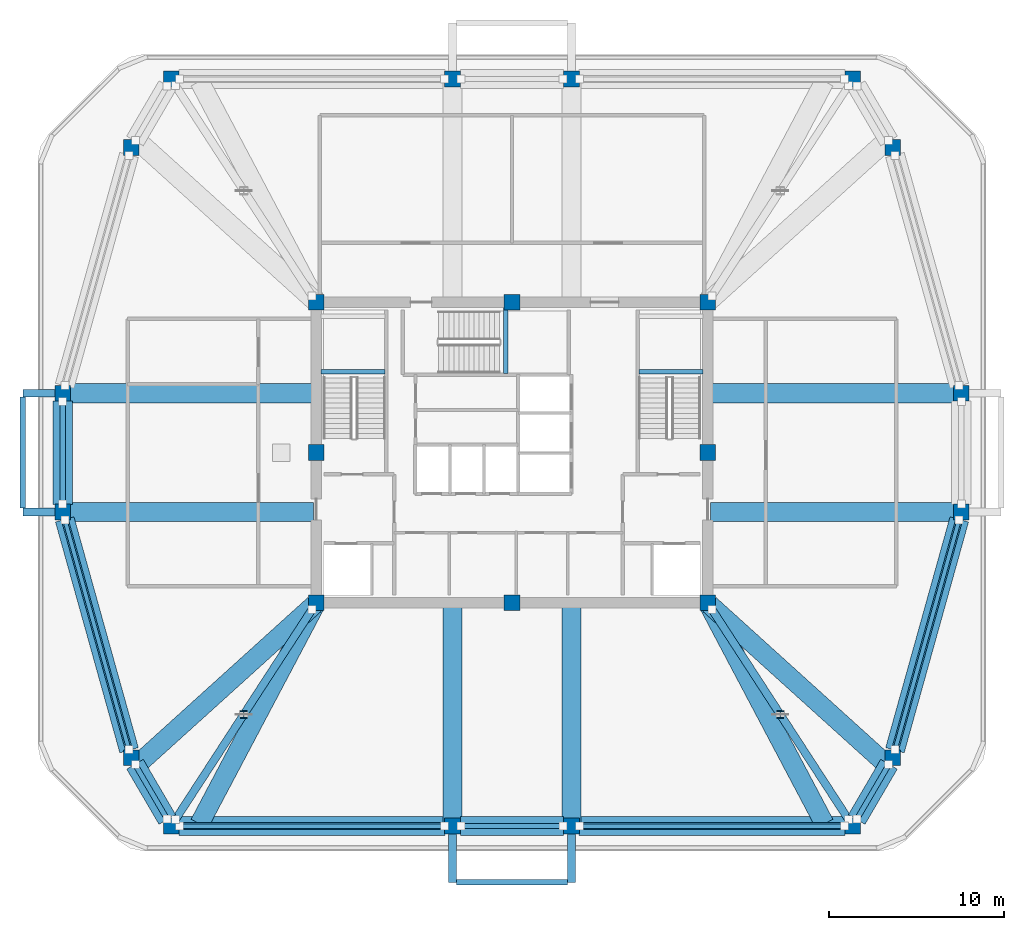
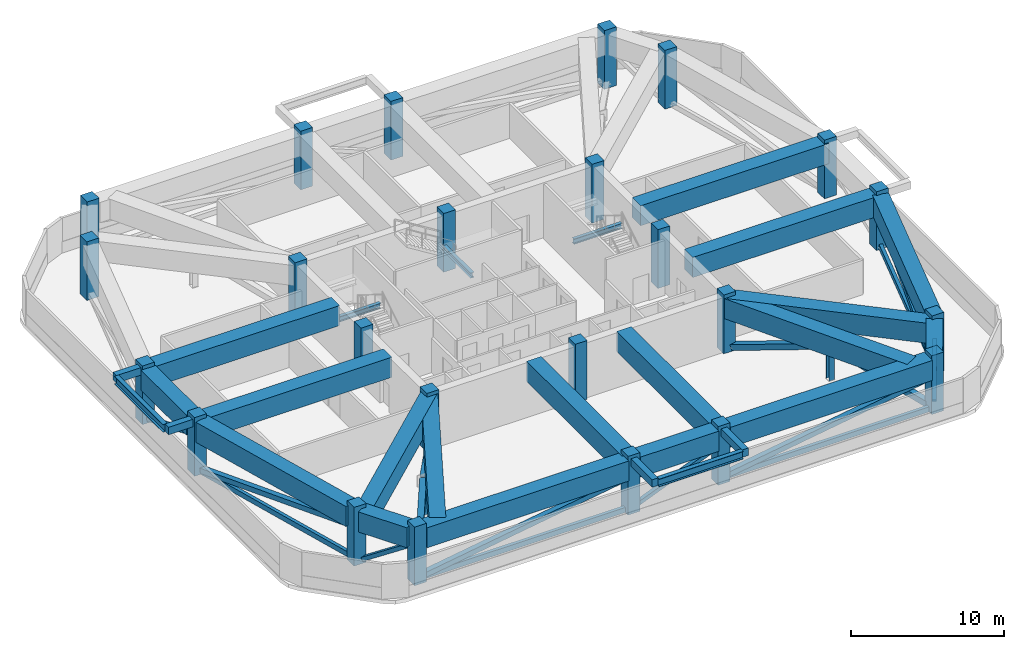
# One storey, part 1 of 9: 27 beams, 24 columns, 18 members.
"""IFC4 building model written with IfcOpenShell, lengths in metres."""

from ifc_helpers import new_model, si_unit, derived_unit, direction, frame, origin, origin_2d, place, context, subcontext, project, spatial, rectangle, hollow_rectangle, i_section, extrude, material, material_profile, profile_set, type_object, element, save


model = new_model("IFC4")

# Units and contexts
model_context = context("Model", 3, precision=1e-05, world=origin(), true_north=direction((0.0, 1.0)))
body_context = subcontext(model_context, "Body", "Model", "MODEL_VIEW")
ifc_project = project(units=[si_unit("LENGTHUNIT", "METRE"), si_unit("AREAUNIT", "SQUARE_METRE"), si_unit("VOLUMEUNIT", "CUBIC_METRE"), si_unit("PLANEANGLEUNIT", "RADIAN"), si_unit("MASSUNIT", "GRAM", prefix="KILO"), derived_unit("THERMALTRANSMITTANCEUNIT", [(si_unit("POWERUNIT", "WATT"), 1), (si_unit("LENGTHUNIT", "METRE"), -2), (si_unit("THERMODYNAMICTEMPERATUREUNIT", "KELVIN"), -1)])], contexts=[model_context])

# Site, building, storey
site_placement = place(None, origin())
site = spatial("IfcSite", under=ifc_project, at=site_placement, CompositionType="ELEMENT")
building_placement = place(site_placement, origin())
building = spatial("IfcBuilding", under=site, at=building_placement, Name="Koralith Skygarden Medical Center", CompositionType="ELEMENT")
storey_placement = place(building_placement, frame((0.0, 0.0, 232.3798828125)))
storey = spatial("IfcBuildingStorey", under=building, at=storey_placement, Name="L60", CompositionType="ELEMENT", Elevation=232.3798828125)

# Columns
ifc_material_1 = material(Name="Concrete C55/67", Category="concrete")
ifc_material_profile_1 = material_profile(ifc_material_1, rectangle(XDim=0.89990234375, YDim=0.89990234375, at=origin_2d()), Name="RC900X900")
ifc_profile_set_1 = profile_set([ifc_material_profile_1], Name="Concrete C55/67")
column_type_1 = type_object("IfcColumnType", Name="Core Column C55 RC900", PredefinedType="COLUMN", material=ifc_profile_set_1)
for number, where, z_axis, x_axis, name in (
    (1, (25.800048828125, 17.300048828125, 0.0), (0.0, 0.0, 1.0), (1.0, 0.0, 0.0), "L60 Core Column CC-01"),
    (2, (37.0, 17.300048828125, 0.0), (0.0, 0.0, 1.0), (1.0, 0.0, 0.0), "L60 Core Column CC-02"),
    (3, (48.199951171875, 17.300048828125, 0.0), (0.0, 0.0, 1.0), (1.0, 0.0, 0.0), "L60 Core Column CC-03"),
    (4, (48.199951171875, 25.89990234375, 0.0), (0.0, 0.0, 1.0), (1.0, 0.0, 0.0), "L60 Core Column CC-04"),
    (5, (48.199951171875, 34.5, 0.0), (0.0, 0.0, 1.0), (1.0, 0.0, 0.0), "L60 Core Column CC-05"),
    (6, (37.0, 34.5, 0.0), (0.0, 0.0, 1.0), (1.0, 0.0, 0.0), "L60 Core Column CC-06"),
    (7, (25.800048828125, 34.5, 0.0), (0.0, 0.0, 1.0), (1.0, 0.0, 0.0), "L60 Core Column CC-07"),
    (8, (25.800048828125, 25.89990234375, 0.0), (0.0, 0.0, 1.0), (1.0, 0.0, 0.0), "L60 Core Column CC-08"),
):
    element("IfcColumn", number, at=place(storey_placement, frame(where, z_axis=z_axis, x_axis=x_axis)), inside=storey, type_object=column_type_1, Name=name, PredefinedType="COLUMN", context=body_context, shape_type="SweptSolid", body=[
        extrude(rectangle(XDim=0.89990234375, YDim=0.89990234375, at=origin_2d()), origin(), (0.0, 0.0, 1.0), 4.68017578125),
    ])
ifc_material_profile_2 = material_profile(ifc_material_1, rectangle(XDim=0.89990234375, YDim=0.89990234375, at=origin_2d()), Name="RC900X900")
ifc_profile_set_2 = profile_set([ifc_material_profile_2], Name="Concrete C55/67")
column_type_2 = type_object("IfcColumnType", Name="Zone 4 Flare Mega-Column C55 RC900", PredefinedType="COLUMN", material=ifc_profile_set_2)
for number, where, z_axis, x_axis, name in (
    (9, (11.278076171875, 22.5, 0.0), (0.0, 0.0, 1.0), (1.0, 0.0, 0.0), "L60 Perimeter Mega-Column MC-01"),
    (10, (15.197998046875, 8.43994140625, 0.0), (0.0, 0.0, 1.0), (1.0, 0.0, 0.0), "L60 Perimeter Mega-Column MC-02"),
    (11, (17.489990234375, 4.52001953125, 0.0), (0.0, 0.0, 1.0), (1.0, 0.0, 0.0), "L60 Perimeter Mega-Column MC-03"),
    (12, (33.60009765625, 4.52001953125, 0.0), (0.0, 0.0, 1.0), (1.0, 0.0, 0.0), "L60 Perimeter Mega-Column MC-04"),
    (13, (40.39990234375, 4.52001953125, 0.0), (0.0, 0.0, 1.0), (1.0, 0.0, 0.0), "L60 Perimeter Mega-Column MC-05"),
    (14, (56.510009765625, 4.52001953125, 0.0), (0.0, 0.0, 1.0), (1.0, 0.0, 0.0), "L60 Perimeter Mega-Column MC-06"),
    (15, (58.802001953125, 8.43994140625, 0.0), (0.0, 0.0, 1.0), (1.0, 0.0, 0.0), "L60 Perimeter Mega-Column MC-07"),
    (16, (62.721923828125, 22.5, 0.0), (0.0, 0.0, 1.0), (1.0, 0.0, 0.0), "L60 Perimeter Mega-Column MC-08"),
    (17, (62.721923828125, 29.300048828125, 0.0), (0.0, 0.0, 1.0), (1.0, 0.0, 0.0), "L60 Perimeter Mega-Column MC-09"),
    (18, (58.802001953125, 43.360107421875, 0.0), (0.0, 0.0, 1.0), (1.0, 0.0, 0.0), "L60 Perimeter Mega-Column MC-10"),
    (19, (56.510009765625, 47.280029296875, 0.0), (0.0, 0.0, 1.0), (1.0, 0.0, 0.0), "L60 Perimeter Mega-Column MC-11"),
    (20, (40.39990234375, 47.280029296875, 0.0), (0.0, 0.0, 1.0), (1.0, 0.0, 0.0), "L60 Perimeter Mega-Column MC-12"),
    (21, (33.60009765625, 47.280029296875, 0.0), (0.0, 0.0, 1.0), (1.0, 0.0, 0.0), "L60 Perimeter Mega-Column MC-13"),
    (22, (17.489990234375, 47.280029296875, 0.0), (0.0, 0.0, 1.0), (1.0, 0.0, 0.0), "L60 Perimeter Mega-Column MC-14"),
    (23, (15.197998046875, 43.360107421875, 0.0), (0.0, 0.0, 1.0), (1.0, 0.0, 0.0), "L60 Perimeter Mega-Column MC-15"),
    (24, (11.278076171875, 29.300048828125, 0.0), (0.0, 0.0, 1.0), (1.0, 0.0, 0.0), "L60 Perimeter Mega-Column MC-16"),
):
    element("IfcColumn", number, at=place(storey_placement, frame(where, z_axis=z_axis, x_axis=x_axis)), inside=storey, type_object=column_type_2, Name=name, PredefinedType="COLUMN", context=body_context, shape_type="SweptSolid", body=[
        extrude(rectangle(XDim=0.89990234375, YDim=0.89990234375, at=origin_2d()), origin(), (0.0, 0.0, 1.0), 4.68017578125),
    ])

# Members
ifc_material_2 = material(Name="Steel ASTM A500 Grade C", Category="steel")
ifc_material_profile_3 = material_profile(ifc_material_2, hollow_rectangle(XDim=0.25, YDim=0.39990234375, WallThickness=0.01611328125, at=origin_2d()), Name="HSS400X250X16")
ifc_profile_set_3 = profile_set([ifc_material_profile_3], Name="Steel ASTM A500 Grade C")
member_type_1 = type_object("IfcMemberType", Name="Belt Truss Chord Member HSS400X250X16", PredefinedType="CHORD", material=ifc_profile_set_3)
member_1_placement = place(storey_placement, frame((11.404052734375, 22.047119140625, 0.22021484375), z_axis=(0.268599926287, -0.96325182564, 0.0), x_axis=(0.96325182564, 0.268599926287, 0.0)))
element("IfcMember", 25, at=member_1_placement, inside=storey, type_object=member_type_1, Name="L60 Belt Truss Bottom Chord BTC-01", PredefinedType="CHORD", context=body_context, shape_type="SweptSolid", body=[
    extrude(hollow_rectangle(XDim=0.25, YDim=0.39990234375, WallThickness=0.01611328125, at=origin_2d()), origin(), (0.0, 0.0, 1.0), 13.65576171875),
])
for number, where, z_axis, x_axis, name in (
    (26, (17.9599609375, 4.52001953125, 0.22021484375), (1.0, 0.0, 0.0), (0.0, 1.0, 0.0), "L60 Belt Truss Bottom Chord BTC-03"),
    (27, (40.8701171875, 4.52001953125, 0.22021484375), (1.0, 0.0, 0.0), (0.0, 1.0, 0.0), "L60 Belt Truss Bottom Chord BTC-05"),
):
    element("IfcMember", number, at=place(storey_placement, frame(where, z_axis=z_axis, x_axis=x_axis)), inside=storey, type_object=member_type_1, Name=name, PredefinedType="CHORD", context=body_context, shape_type="SweptSolid", body=[
        extrude(hollow_rectangle(XDim=0.25, YDim=0.39990234375, WallThickness=0.01611328125, at=origin_2d()), origin(), (0.0, 0.0, 1.0), 15.169921875),
    ])
member_2_placement = place(storey_placement, frame((58.927978515625, 8.89306640625, 0.22021484375), z_axis=(0.268599926287, 0.96325182564, 0.0), x_axis=(-0.96325182564, 0.268599926287, 0.0)))
element("IfcMember", 28, at=member_2_placement, inside=storey, type_object=member_type_1, Name="L60 Belt Truss Bottom Chord BTC-07", PredefinedType="CHORD", context=body_context, shape_type="SweptSolid", body=[
    extrude(hollow_rectangle(XDim=0.25, YDim=0.39990234375, WallThickness=0.01611328125, at=origin_2d()), origin(), (0.0, 0.0, 1.0), 13.65576171875),
])
ifc_material_profile_4 = material_profile(ifc_material_2, hollow_rectangle(XDim=0.39990234375, YDim=0.39990234375, WallThickness=0.01806640625, at=origin_2d()), Name="HSS400X400X18")
ifc_profile_set_4 = profile_set([ifc_material_profile_4], Name="Steel ASTM A500 Grade C")
member_type_2 = type_object("IfcMemberType", Name="Belt Truss Diagonal HSS400X400X18", PredefinedType="BRACE", material=ifc_profile_set_4)
member_3_placement = place(storey_placement, frame((11.404052734375, 22.047119140625, 0.35009765625), z_axis=(0.264610806842, -0.948946063755, 0.171704656277), x_axis=(0.96325182564, 0.268599926287, 0.0)))
element("IfcMember", 29, at=member_3_placement, inside=storey, type_object=member_type_2, Name="L60 Perimeter Belt Truss Diagonal BTD-01", PredefinedType="BRACE", context=body_context, shape_type="SweptSolid", body=[
    extrude(hollow_rectangle(XDim=0.39990234375, YDim=0.39990234375, WallThickness=0.01806640625, at=origin_2d()), origin(), (0.0, 0.0, 1.0), 13.86181640625),
])
for number, where, z_axis, x_axis, name in (
    (30, (17.9599609375, 4.52001953125, 0.35009765625), (0.987914228058, 0.0, 0.15500154193), (0.0, 1.0, 0.0), "L60 Perimeter Belt Truss Diagonal BTD-03"),
    (31, (40.8701171875, 4.52001953125, 0.35009765625), (0.987914228058, 0.0, 0.15500154193), (0.0, 1.0, 0.0), "L60 Perimeter Belt Truss Diagonal BTD-05"),
):
    element("IfcMember", number, at=place(storey_placement, frame(where, z_axis=z_axis, x_axis=x_axis)), inside=storey, type_object=member_type_2, Name=name, PredefinedType="BRACE", context=body_context, shape_type="SweptSolid", body=[
        extrude(hollow_rectangle(XDim=0.39990234375, YDim=0.39990234375, WallThickness=0.01806640625, at=origin_2d()), origin(), (0.0, 0.0, 1.0), 15.35546875),
    ])
member_4_placement = place(storey_placement, frame((58.927978515625, 8.89306640625, 0.35009765625), z_axis=(0.264610806842, 0.948946063755, 0.171704656277), x_axis=(-0.96325182564, 0.268599926287, 0.0)))
element("IfcMember", 32, at=member_4_placement, inside=storey, type_object=member_type_2, Name="L60 Perimeter Belt Truss Diagonal BTD-07", PredefinedType="BRACE", context=body_context, shape_type="SweptSolid", body=[
    extrude(hollow_rectangle(XDim=0.39990234375, YDim=0.39990234375, WallThickness=0.01806640625, at=origin_2d()), origin(), (0.0, 0.0, 1.0), 13.86181640625),
])

# Beams
ifc_material_3 = material(Name="Steel ASTM A992 Grade 50", Category="steel")
ifc_material_profile_5 = material_profile(ifc_material_3, i_section(OverallWidth=0.326904296875, OverallDepth=0.6220703125, WebThickness=0.015380859375, FlangeThickness=0.0244140625, at=origin_2d()), Name="W24X131")
ifc_profile_set_5 = profile_set([ifc_material_profile_5], Name="Steel ASTM A992 Grade 50")
beam_type_1 = type_object("IfcBeamType", Name="Cantilever Tie Beam W24X131", PredefinedType="BEAM", material=ifc_profile_set_5)
beam_1_placement = place(storey_placement, frame((33.820068359375, 1.300048828125, 4.109130859375), z_axis=(1.0, 0.0, 0.0), x_axis=(0.0, 1.0, 0.0)))
element("IfcBeam", 33, at=beam_1_placement, inside=storey, type_object=beam_type_1, Name="L61 S Balcony Tip Tie Beam", PredefinedType="BEAM", context=body_context, shape_type="SweptSolid", body=[
    extrude(i_section(OverallWidth=0.326904296875, OverallDepth=0.6220703125, WebThickness=0.015380859375, FlangeThickness=0.0244140625, at=origin_2d()), origin(), (0.0, 0.0, 1.0), 6.35986328125),
])
beam_2_placement = place(storey_placement, frame((9.0, 22.719970703125, 4.109130859375), z_axis=(0.0, 1.0, 0.0), x_axis=(-1.0, 0.0, 0.0)))
element("IfcBeam", 34, at=beam_2_placement, inside=storey, type_object=beam_type_1, Name="L61 W Balcony Tip Tie Beam", PredefinedType="BEAM", context=body_context, shape_type="SweptSolid", body=[
    extrude(i_section(OverallWidth=0.326904296875, OverallDepth=0.6220703125, WebThickness=0.015380859375, FlangeThickness=0.0244140625, at=origin_2d()), origin(), (0.0, 0.0, 1.0), 6.360107421875),
])
ifc_material_profile_6 = material_profile(ifc_material_3, i_section(OverallWidth=0.260009765625, OverallDepth=0.4150390625, WebThickness=0.010009765625, FlangeThickness=0.016845703125, at=origin_2d()), Name="W16X67")
ifc_profile_set_6 = profile_set([ifc_material_profile_6], Name="Steel ASTM A992 Grade 50")
beam_type_2 = type_object("IfcBeamType", Name="Clinical Floor Joist W16X67", PredefinedType="JOIST", material=ifc_profile_set_6)
for number, where, z_axis, x_axis, name in (
    (35, (26.080078125, 30.530029296875, 1.93212890625), (1.0, 0.0, 0.0), (0.0, 1.0, 0.0), "L60 Stair ST1 Half-Landing Support Beam 1A"),
    (36, (44.280029296875, 30.530029296875, 1.93212890625), (1.0, 0.0, 0.0), (0.0, 1.0, 0.0), "L60 Stair ST2 Half-Landing Support Beam 1A"),
):
    element("IfcBeam", number, at=place(storey_placement, frame(where, z_axis=z_axis, x_axis=x_axis)), inside=storey, type_object=beam_type_2, Name=name, PredefinedType="JOIST", context=body_context, shape_type="SweptSolid", body=[
        extrude(i_section(OverallWidth=0.260009765625, OverallDepth=0.4150390625, WebThickness=0.010009765625, FlangeThickness=0.016845703125, at=origin_2d()), origin(), (0.0, 0.0, 1.0), 3.639892578125),
    ])
beam_3_placement = place(storey_placement, frame((36.6298828125, 30.43994140625, 1.93212890625), z_axis=(0.0, 1.0, 0.0), x_axis=(-1.0, 0.0, 0.0)))
element("IfcBeam", 37, at=beam_3_placement, inside=storey, type_object=beam_type_2, Name="L60 Stair ST3 Half-Landing Support Beam 1A", PredefinedType="JOIST", context=body_context, shape_type="SweptSolid", body=[
    extrude(i_section(OverallWidth=0.260009765625, OverallDepth=0.4150390625, WebThickness=0.010009765625, FlangeThickness=0.016845703125, at=origin_2d()), origin(), (0.0, 0.0, 1.0), 3.780029296875),
])

# Members
ifc_material_profile_7 = material_profile(ifc_material_2, hollow_rectangle(XDim=0.300048828125, YDim=0.300048828125, WallThickness=0.013916015625, at=origin_2d()), Name="HSS300X300X14")
ifc_profile_set_7 = profile_set([ifc_material_profile_7], Name="Steel ASTM A500 Grade C")
member_type_3 = type_object("IfcMemberType", Name="Crown Belt Strut HSS300X300X14", PredefinedType="BRACE", material=ifc_profile_set_7)
member_5_placement = place(storey_placement, frame((15.43505859375, 8.033935546875, 0.35009765625), z_axis=(0.42118320972, -0.720072825642, 0.551452472677), x_axis=(0.863183142582, 0.504890941058, 0.0)))
element("IfcMember", 38, at=member_5_placement, inside=storey, type_object=member_type_3, Name="L60 Perimeter Belt Truss Diagonal BTD-02", PredefinedType="BRACE", context=body_context, shape_type="SweptSolid", body=[
    extrude(hollow_rectangle(XDim=0.300048828125, YDim=0.300048828125, WallThickness=0.013916015625, at=origin_2d()), origin(), (0.0, 0.0, 1.0), 4.316162109375),
])
member_6_placement = place(storey_placement, frame((34.070068359375, 4.52001953125, 0.35009765625), z_axis=(0.926490971515, 0.0, 0.376316993638), x_axis=(0.0, 1.0, 0.0)))
element("IfcMember", 39, at=member_6_placement, inside=storey, type_object=member_type_3, Name="L60 Perimeter Belt Truss Diagonal BTD-04", PredefinedType="BRACE", context=body_context, shape_type="SweptSolid", body=[
    extrude(hollow_rectangle(XDim=0.300048828125, YDim=0.300048828125, WallThickness=0.013916015625, at=origin_2d()), origin(), (0.0, 0.0, 1.0), 6.32470703125),
])
member_7_placement = place(storey_placement, frame((56.7470703125, 4.926025390625, 0.35009765625), z_axis=(0.42118320972, 0.720072825642, 0.551452472677), x_axis=(-0.863183142582, 0.504890941058, 0.0)))
element("IfcMember", 40, at=member_7_placement, inside=storey, type_object=member_type_3, Name="L60 Perimeter Belt Truss Diagonal BTD-06", PredefinedType="BRACE", context=body_context, shape_type="SweptSolid", body=[
    extrude(hollow_rectangle(XDim=0.300048828125, YDim=0.300048828125, WallThickness=0.013916015625, at=origin_2d()), origin(), (0.0, 0.0, 1.0), 4.316162109375),
])
member_8_placement = place(storey_placement, frame((11.278076171875, 28.830078125, 0.35009765625), z_axis=(0.0, -0.926496437622, 0.376303535824), x_axis=(1.0, 0.0, 0.0)))
element("IfcMember", 41, at=member_8_placement, inside=storey, type_object=member_type_3, Name="L60 Perimeter Belt Truss Diagonal BTD-16", PredefinedType="BRACE", context=body_context, shape_type="SweptSolid", body=[
    extrude(hollow_rectangle(XDim=0.300048828125, YDim=0.300048828125, WallThickness=0.013916015625, at=origin_2d()), origin(), (0.0, 0.0, 1.0), 6.324951171875),
])
ifc_material_profile_8 = material_profile(ifc_material_2, hollow_rectangle(XDim=0.449951171875, YDim=0.449951171875, WallThickness=0.02001953125, at=origin_2d()), Name="HSS450X450X20")
ifc_profile_set_8 = profile_set([ifc_material_profile_8], Name="Steel ASTM A500 Grade C")
member_type_4 = type_object("IfcMemberType", Name="Outrigger Upper Diagonal HSS450X450X20", PredefinedType="BRACE", material=ifc_profile_set_8)
member_9_placement = place(storey_placement, frame((25.554931640625, 16.923095703125, 0.35009765625), z_axis=(-0.517377926749, -0.795692684098, 0.314949572768), x_axis=(0.8383580621, -0.545119949839, 0.0)))
element("IfcMember", 42, at=member_9_placement, inside=storey, type_object=member_type_4, Name="L60 Outrigger Truss Diagonal ORD-01A", PredefinedType="BRACE", context=body_context, shape_type="SweptSolid", body=[
    extrude(hollow_rectangle(XDim=0.449951171875, YDim=0.449951171875, WallThickness=0.02001953125, at=origin_2d()), origin(), (0.0, 0.0, 1.0), 7.55712890625),
])
member_10_placement = place(storey_placement, frame((21.64501953125, 10.909912109375, 2.730224609375), z_axis=(-0.517391226458, -0.795680831498, -0.314957668857), x_axis=(0.838347947054, -0.545135505788, 0.0)))
element("IfcMember", 43, at=member_10_placement, inside=storey, type_object=member_type_4, Name="L60 Outrigger Truss Diagonal ORD-01B", PredefinedType="BRACE", context=body_context, shape_type="SweptSolid", body=[
    extrude(hollow_rectangle(XDim=0.449951171875, YDim=0.449951171875, WallThickness=0.02001953125, at=origin_2d()), origin(), (0.0, 0.0, 1.0), 7.556884765625),
])
member_11_placement = place(storey_placement, frame((48.445068359375, 16.923095703125, 0.35009765625), z_axis=(0.517377926749, -0.795692684098, 0.314949572768), x_axis=(0.8383580621, 0.545119949839, 0.0)))
element("IfcMember", 44, at=member_11_placement, inside=storey, type_object=member_type_4, Name="L60 Outrigger Truss Diagonal ORD-03A", PredefinedType="BRACE", context=body_context, shape_type="SweptSolid", body=[
    extrude(hollow_rectangle(XDim=0.449951171875, YDim=0.449951171875, WallThickness=0.02001953125, at=origin_2d()), origin(), (0.0, 0.0, 1.0), 7.55712890625),
])
member_12_placement = place(storey_placement, frame((52.35498046875, 10.909912109375, 2.730224609375), z_axis=(0.517391226458, -0.795680831498, -0.314957668857), x_axis=(0.838347947054, 0.545135505788, 0.0)))
element("IfcMember", 45, at=member_12_placement, inside=storey, type_object=member_type_4, Name="L60 Outrigger Truss Diagonal ORD-03B", PredefinedType="BRACE", context=body_context, shape_type="SweptSolid", body=[
    extrude(hollow_rectangle(XDim=0.449951171875, YDim=0.449951171875, WallThickness=0.02001953125, at=origin_2d()), origin(), (0.0, 0.0, 1.0), 7.556884765625),
])
ifc_material_profile_9 = material_profile(ifc_material_3, i_section(OverallWidth=0.406005859375, OverallDepth=0.416015625, WebThickness=0.02490234375, FlangeThickness=0.0400390625, at=origin_2d()), Name="W14X257")
ifc_profile_set_9 = profile_set([ifc_material_profile_9], Name="Steel ASTM A992 Grade 50")
member_type_5 = type_object("IfcMemberType", Name="Outrigger Web Strut Post W14X257", PredefinedType="POST", material=ifc_profile_set_9)
for number, where, z_axis, x_axis, name in (
    (46, (21.64501953125, 10.909912109375, 0.0), (0.0, 0.0, 1.0), (1.0, 0.0, 0.0), "L60 Outrigger Truss Web Post ORP-01"),
    (47, (52.35498046875, 10.909912109375, 0.0), (0.0, 0.0, 1.0), (1.0, 0.0, 0.0), "L60 Outrigger Truss Web Post ORP-03"),
):
    element("IfcMember", number, at=place(storey_placement, frame(where, z_axis=z_axis, x_axis=x_axis)), inside=storey, type_object=member_type_5, Name=name, PredefinedType="POST", context=body_context, shape_type="SweptSolid", body=[
        extrude(i_section(OverallWidth=0.406005859375, OverallDepth=0.416015625, WebThickness=0.02490234375, FlangeThickness=0.0400390625, at=origin_2d()), origin(), (0.0, 0.0, 1.0), 2.730224609375),
    ])

# Beams
ifc_material_4 = material(Name="Concrete C45/55", Category="concrete")
ifc_material_profile_10 = material_profile(ifc_material_4, rectangle(XDim=0.449951171875, YDim=0.60009765625, at=origin_2d()), Name="RCB450X600")
ifc_profile_set_10 = profile_set([ifc_material_profile_10], Name="Concrete C45/55")
beam_type_3 = type_object("IfcBeamType", Name="Planted Balcony Cantilever Beam RCB450X600", PredefinedType="BEAM", material=ifc_profile_set_10)
for number, where, z_axis, x_axis, name in (
    (48, (33.60009765625, 4.090087890625, 4.1201171875), (0.0, -1.0, 0.0), (1.0, 0.0, 0.0), "L61 S Balcony Cantilever Beam A"),
    (49, (40.39990234375, 4.090087890625, 4.1201171875), (0.0, -1.0, 0.0), (1.0, 0.0, 0.0), "L61 S Balcony Cantilever Beam B"),
):
    element("IfcBeam", number, at=place(storey_placement, frame(where, z_axis=z_axis, x_axis=x_axis)), inside=storey, type_object=beam_type_3, Name=name, PredefinedType="BEAM", context=body_context, shape_type="SweptSolid", body=[
        extrude(rectangle(XDim=0.449951171875, YDim=0.60009765625, at=origin_2d()), origin(), (0.0, 0.0, 1.0), 2.7900390625),
    ])
for number, where, z_axis, x_axis, name in (
    (50, (10.847900390625, 22.5, 4.1201171875), (-1.0, 0.0, 0.0), (0.0, -1.0, 0.0), "L61 W Balcony Cantilever Beam A"),
    (51, (10.847900390625, 29.300048828125, 4.1201171875), (-1.0, 0.0, 0.0), (0.0, -1.0, 0.0), "L61 W Balcony Cantilever Beam B"),
):
    element("IfcBeam", number, at=place(storey_placement, frame(where, z_axis=z_axis, x_axis=x_axis)), inside=storey, type_object=beam_type_3, Name=name, PredefinedType="BEAM", context=body_context, shape_type="SweptSolid", body=[
        extrude(rectangle(XDim=0.449951171875, YDim=0.60009765625, at=origin_2d()), origin(), (0.0, 0.0, 1.0), 1.847900390625),
    ])
ifc_material_profile_11 = material_profile(ifc_material_1, rectangle(XDim=1.10009765625, YDim=1.60009765625, at=origin_2d()), Name="RCB1100X1600")
ifc_profile_set_11 = profile_set([ifc_material_profile_11], Name="Concrete C55/67")
beam_type_4 = type_object("IfcBeamType", Name="Upper Setback Transfer Girder RCB1100X1600", PredefinedType="USERDEFINED", material=ifc_profile_set_11)
beam_4_placement = place(storey_placement, frame((25.64990234375, 22.5, 3.580078125), z_axis=(-1.0, 0.0, 0.0), x_axis=(0.0, -1.0, 0.0)))
element("IfcBeam", 52, at=beam_4_placement, inside=storey, type_object=beam_type_4, Name="L60 Setback Transfer Girder STG-01", ObjectType="TRANSFER GIRDER", PredefinedType="USERDEFINED", context=body_context, shape_type="SweptSolid", body=[
    extrude(rectangle(XDim=1.10009765625, YDim=1.60009765625, at=origin_2d()), origin(), (0.0, 0.0, 1.0), 14.221923828125),
])
beam_5_placement = place(storey_placement, frame((25.68896484375, 17.198974609375, 3.580078125), z_axis=(-0.741751906039, -0.670674369487, 0.0), x_axis=(0.670674369487, -0.741751906039, 0.0)))
element("IfcBeam", 53, at=beam_5_placement, inside=storey, type_object=beam_type_4, Name="L60 Setback Transfer Girder STG-02", ObjectType="TRANSFER GIRDER", PredefinedType="USERDEFINED", context=body_context, shape_type="SweptSolid", body=[
    extrude(rectangle(XDim=1.10009765625, YDim=1.60009765625, at=origin_2d()), origin(), (0.0, 0.0, 1.0), 13.619140625),
])
beam_6_placement = place(storey_placement, frame((25.72998046875, 17.1669921875, 3.580078125), z_axis=(-0.467334480848, -0.884080586265, 0.0), x_axis=(0.884080586265, -0.467334480848, 0.0)))
element("IfcBeam", 54, at=beam_6_placement, inside=storey, type_object=beam_type_4, Name="L60 Setback Transfer Girder STG-03", ObjectType="TRANSFER GIRDER", PredefinedType="USERDEFINED", context=body_context, shape_type="SweptSolid", body=[
    extrude(rectangle(XDim=1.10009765625, YDim=1.60009765625, at=origin_2d()), origin(), (0.0, 0.0, 1.0), 14.15478515625),
])
for number, where, z_axis, x_axis, name in (
    (55, (33.60009765625, 17.14990234375, 3.580078125), (0.0, -1.0, 0.0), (1.0, 0.0, 0.0), "L60 Setback Transfer Girder STG-04"),
    (56, (40.39990234375, 17.14990234375, 3.580078125), (0.0, -1.0, 0.0), (1.0, 0.0, 0.0), "L60 Setback Transfer Girder STG-05"),
):
    element("IfcBeam", number, at=place(storey_placement, frame(where, z_axis=z_axis, x_axis=x_axis)), inside=storey, type_object=beam_type_4, Name=name, ObjectType="TRANSFER GIRDER", PredefinedType="USERDEFINED", context=body_context, shape_type="SweptSolid", body=[
        extrude(rectangle(XDim=1.10009765625, YDim=1.60009765625, at=origin_2d()), origin(), (0.0, 0.0, 1.0), 12.47998046875),
    ])
beam_7_placement = place(storey_placement, frame((48.27001953125, 17.1669921875, 3.580078125), z_axis=(0.467334480848, -0.884080586265, 0.0), x_axis=(0.884080586265, 0.467334480848, 0.0)))
element("IfcBeam", 57, at=beam_7_placement, inside=storey, type_object=beam_type_4, Name="L60 Setback Transfer Girder STG-06", ObjectType="TRANSFER GIRDER", PredefinedType="USERDEFINED", context=body_context, shape_type="SweptSolid", body=[
    extrude(rectangle(XDim=1.10009765625, YDim=1.60009765625, at=origin_2d()), origin(), (0.0, 0.0, 1.0), 14.15478515625),
])
beam_8_placement = place(storey_placement, frame((48.31103515625, 17.198974609375, 3.580078125), z_axis=(0.741751906039, -0.670674369487, 0.0), x_axis=(0.670674369487, 0.741751906039, 0.0)))
element("IfcBeam", 58, at=beam_8_placement, inside=storey, type_object=beam_type_4, Name="L60 Setback Transfer Girder STG-07", ObjectType="TRANSFER GIRDER", PredefinedType="USERDEFINED", context=body_context, shape_type="SweptSolid", body=[
    extrude(rectangle(XDim=1.10009765625, YDim=1.60009765625, at=origin_2d()), origin(), (0.0, 0.0, 1.0), 13.619140625),
])
for number, where, z_axis, x_axis, name in (
    (59, (48.35009765625, 22.5, 3.580078125), (1.0, 0.0, 0.0), (0.0, 1.0, 0.0), "L60 Setback Transfer Girder STG-08"),
    (60, (48.35009765625, 29.300048828125, 3.580078125), (1.0, 0.0, 0.0), (0.0, 1.0, 0.0), "L60 Setback Transfer Girder STG-09"),
    (61, (25.64990234375, 29.300048828125, 3.580078125), (-1.0, 0.0, 0.0), (0.0, -1.0, 0.0), "L60 Setback Transfer Girder STG-16"),
):
    element("IfcBeam", number, at=place(storey_placement, frame(where, z_axis=z_axis, x_axis=x_axis)), inside=storey, type_object=beam_type_4, Name=name, ObjectType="TRANSFER GIRDER", PredefinedType="USERDEFINED", context=body_context, shape_type="SweptSolid", body=[
        extrude(rectangle(XDim=1.10009765625, YDim=1.60009765625, at=origin_2d()), origin(), (0.0, 0.0, 1.0), 14.221923828125),
    ])
beam_9_placement = place(storey_placement, frame((11.39599609375, 22.075927734375, 3.580078125), z_axis=(0.26859849356, -0.96325222515, 0.0), x_axis=(0.96325222515, 0.26859849356, 0.0)))
element("IfcBeam", 62, at=beam_9_placement, inside=storey, type_object=beam_type_4, Name="L60 Perimeter Spandrel Beam SP-01", ObjectType="TRANSFER GIRDER", PredefinedType="USERDEFINED", context=body_context, shape_type="SweptSolid", body=[
    extrude(rectangle(XDim=1.10009765625, YDim=1.60009765625, at=origin_2d()), origin(), (0.0, 0.0, 1.0), 13.716064453125),
])
beam_10_placement = place(storey_placement, frame((15.419921875, 8.06005859375, 3.580078125), z_axis=(0.504832687441, -0.863217213505, 0.0), x_axis=(0.863217213505, 0.504832687441, 0.0)))
element("IfcBeam", 63, at=beam_10_placement, inside=storey, type_object=beam_type_4, Name="L60 Perimeter Spandrel Beam SP-02", ObjectType="TRANSFER GIRDER", PredefinedType="USERDEFINED", context=body_context, shape_type="SweptSolid", body=[
    extrude(rectangle(XDim=1.10009765625, YDim=1.60009765625, at=origin_2d()), origin(), (0.0, 0.0, 1.0), 3.660888671875),
])
beam_11_placement = place(storey_placement, frame((17.929931640625, 4.52001953125, 3.580078125), z_axis=(1.0, 0.0, 0.0), x_axis=(0.0, 1.0, 0.0)))
element("IfcBeam", 64, at=beam_11_placement, inside=storey, type_object=beam_type_4, Name="L60 Perimeter Spandrel Beam SP-03", ObjectType="TRANSFER GIRDER", PredefinedType="USERDEFINED", context=body_context, shape_type="SweptSolid", body=[
    extrude(rectangle(XDim=1.10009765625, YDim=1.60009765625, at=origin_2d()), origin(), (0.0, 0.0, 1.0), 15.22998046875),
])
beam_12_placement = place(storey_placement, frame((34.0400390625, 4.52001953125, 3.580078125), z_axis=(1.0, 0.0, 0.0), x_axis=(0.0, 1.0, 0.0)))
element("IfcBeam", 65, at=beam_12_placement, inside=storey, type_object=beam_type_4, Name="L60 Perimeter Spandrel Beam SP-04", ObjectType="TRANSFER GIRDER", PredefinedType="USERDEFINED", context=body_context, shape_type="SweptSolid", body=[
    extrude(rectangle(XDim=1.10009765625, YDim=1.60009765625, at=origin_2d()), origin(), (0.0, 0.0, 1.0), 5.919921875),
])
beam_13_placement = place(storey_placement, frame((40.840087890625, 4.52001953125, 3.580078125), z_axis=(1.0, 0.0, 0.0), x_axis=(0.0, 1.0, 0.0)))
element("IfcBeam", 66, at=beam_13_placement, inside=storey, type_object=beam_type_4, Name="L60 Perimeter Spandrel Beam SP-05", ObjectType="TRANSFER GIRDER", PredefinedType="USERDEFINED", context=body_context, shape_type="SweptSolid", body=[
    extrude(rectangle(XDim=1.10009765625, YDim=1.60009765625, at=origin_2d()), origin(), (0.0, 0.0, 1.0), 15.22998046875),
])
beam_14_placement = place(storey_placement, frame((56.73193359375, 4.89990234375, 3.580078125), z_axis=(0.504832687441, 0.863217213505, 0.0), x_axis=(-0.863217213505, 0.504832687441, 0.0)))
element("IfcBeam", 67, at=beam_14_placement, inside=storey, type_object=beam_type_4, Name="L60 Perimeter Spandrel Beam SP-06", ObjectType="TRANSFER GIRDER", PredefinedType="USERDEFINED", context=body_context, shape_type="SweptSolid", body=[
    extrude(rectangle(XDim=1.10009765625, YDim=1.60009765625, at=origin_2d()), origin(), (0.0, 0.0, 1.0), 3.660888671875),
])
beam_15_placement = place(storey_placement, frame((58.919921875, 8.864013671875, 3.580078125), z_axis=(0.26859849356, 0.96325222515, 0.0), x_axis=(-0.96325222515, 0.26859849356, 0.0)))
element("IfcBeam", 68, at=beam_15_placement, inside=storey, type_object=beam_type_4, Name="L60 Perimeter Spandrel Beam SP-07", ObjectType="TRANSFER GIRDER", PredefinedType="USERDEFINED", context=body_context, shape_type="SweptSolid", body=[
    extrude(rectangle(XDim=1.10009765625, YDim=1.60009765625, at=origin_2d()), origin(), (0.0, 0.0, 1.0), 13.716064453125),
])
beam_16_placement = place(storey_placement, frame((11.278076171875, 28.860107421875, 3.580078125), z_axis=(0.0, -1.0, 0.0), x_axis=(1.0, 0.0, 0.0)))
element("IfcBeam", 69, at=beam_16_placement, inside=storey, type_object=beam_type_4, Name="L60 Perimeter Spandrel Beam SP-16", ObjectType="TRANSFER GIRDER", PredefinedType="USERDEFINED", context=body_context, shape_type="SweptSolid", body=[
    extrude(rectangle(XDim=1.10009765625, YDim=1.60009765625, at=origin_2d()), origin(), (0.0, 0.0, 1.0), 5.920166015625),
])

save(model, "model.ifc")
